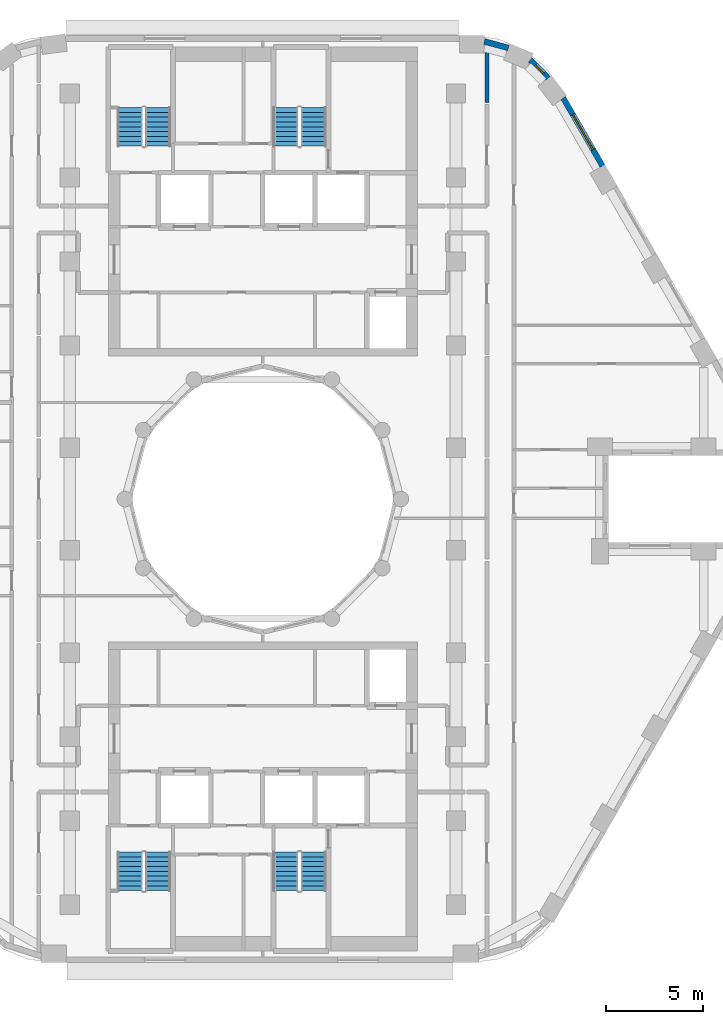
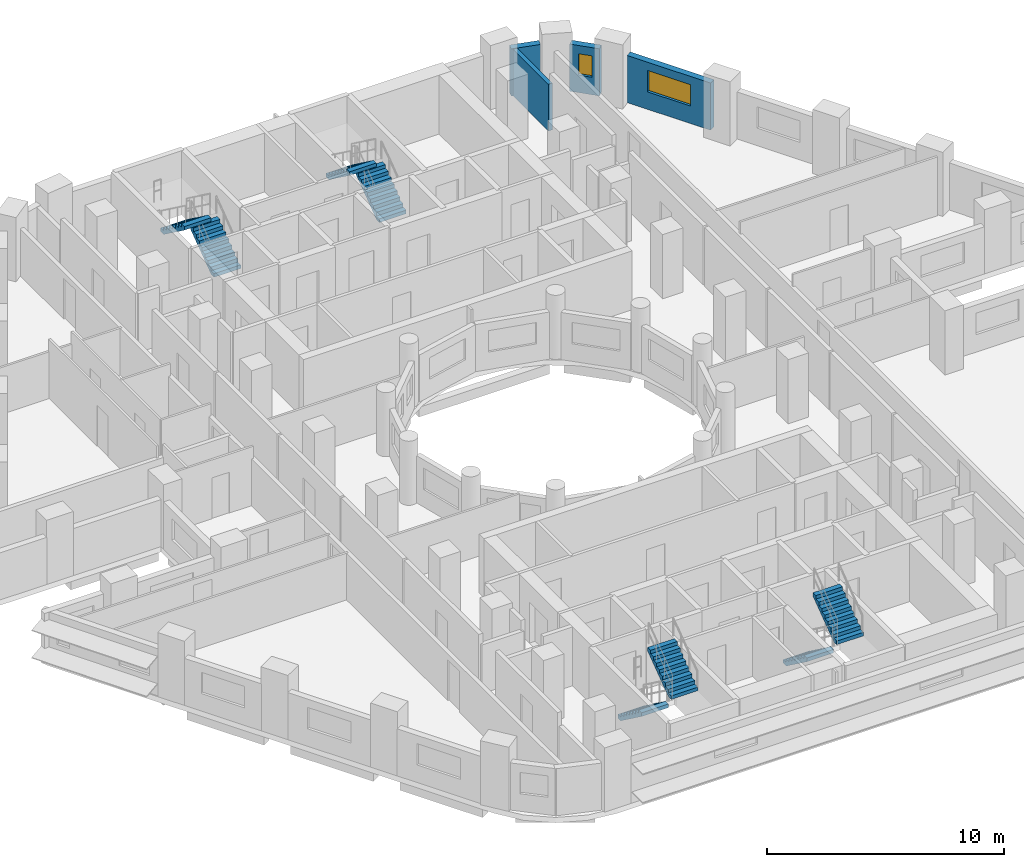
# One storey, part 9 of 13: 8 stair flights, 4 walls, 2 windows, 2 openings, 4 elements without a shape of their own.
"""IFC4 building model written with IfcOpenShell, lengths in metres."""

from ifc_helpers import new_model, si_unit, direction, frame, frame_2d, origin, place, context, subcontext, project, spatial, polyline, rectangle, outline, extrude, material, layer, layer_set, type_object, element, fill, aggregate, save


model = new_model("IFC4")

# Units and contexts
model_context = context("Model", 3, precision=1e-05, world=origin(), true_north=direction((0.0, 1.0)))
body_context = subcontext(model_context, "Body", "Model", "MODEL_VIEW")
ifc_project = project(units=[si_unit("LENGTHUNIT", "METRE"), si_unit("AREAUNIT", "SQUARE_METRE"), si_unit("VOLUMEUNIT", "CUBIC_METRE"), si_unit("PLANEANGLEUNIT", "RADIAN"), si_unit("MASSUNIT", "GRAM", prefix="KILO")], contexts=[model_context])

# Site, building, storey
site_placement = place(None, origin())
site = spatial("IfcSite", under=ifc_project, at=site_placement, CompositionType="ELEMENT")
building_placement = place(site_placement, origin())
building = spatial("IfcBuilding", under=site, at=building_placement, Name="Nakaniwa Court", CompositionType="ELEMENT")
storey_placement = place(building_placement, frame((0.0, 0.0, 150.300048828125)))
storey = spatial("IfcBuildingStorey", under=building, at=storey_placement, Name="L39", CompositionType="ELEMENT", Elevation=150.300048828125)

# Wall
ifc_material_1 = material(Name="Acoustic double stud partition")
ifc_layer_1 = layer(ifc_material_1, 0.199951171875)
ifc_layer_set_1 = layer_set([ifc_layer_1], Name="Acoustic double stud partition")
wall_type_1 = type_object("IfcWallType", Name="Acoustic double stud partition 200", PredefinedType="PARTITIONING", material=ifc_layer_set_1)
wall_1_placement = place(storey_placement, frame((91.60009765625, 100.537109375, 0.0), z_axis=(0.0, 0.0, 1.0), x_axis=(0.0, 1.0, 0.0)))
element("IfcWall", 1, at=wall_1_placement, inside=storey, type_object=wall_type_1, Name="Partition PW-075", PredefinedType="PARTITIONING", context=body_context, shape_type="SweptSolid", body=[
    extrude(rectangle(XDim=3.06201171875, YDim=0.199951171875, at=frame_2d((1.531005859375, 0.0))), origin(), (0.0, 0.0, 1.0), 2.405029296875),
])

# Wall, opening, window
ifc_material_2 = material(Name="Charcoal ceramic cladding")
ifc_layer_2 = layer(ifc_material_2, 0.02, Name="Ceramic cladding")
ifc_material_3 = material(Name="Ventilated air cavity")
ifc_layer_3 = layer(ifc_material_3, 0.04, ventilated=True, Name="Ventilated cavity")
ifc_material_4 = material(Name="Mineral wool insulation")
ifc_layer_4 = layer(ifc_material_4, 0.1, Name="Insulation")
ifc_material_5 = material(Name="Cement bonded sheathing board")
ifc_layer_5 = layer(ifc_material_5, 0.012, Name="Sheathing")
ifc_material_6 = material(Name="Cold-formed galvanised stud frame with mineral wool infill")
ifc_layer_6 = layer(ifc_material_6, 0.1, Name="Stud frame")
ifc_material_7 = material(Name="Fire-rated gypsum plasterboard lining")
ifc_layer_7 = layer(ifc_material_7, 0.028, Name="Lining")
ifc_layer_set_2 = layer_set([ifc_layer_2, ifc_layer_3, ifc_layer_4, ifc_layer_5, ifc_layer_6, ifc_layer_7], Name="Charcoal ceramic faced external wall system")
wall_type_2 = type_object("IfcWallType", Name="Black ceramic faced external wall 300", PredefinedType="SOLIDWALL", material=ifc_layer_set_2)
wall_2_placement = place(storey_placement, frame((97.582275390625, 97.24658203125, 0.0), z_axis=(0.0, 0.0, 1.0), x_axis=(-0.500018589245, 0.866014671013, 0.0)))
wall_2 = element("IfcWall", 2, at=wall_2_placement, inside=storey, type_object=wall_type_2, Name="L39 external wall 05", PredefinedType="SOLIDWALL", context=body_context, shape_type="SweptSolid", body=[
    extrude(rectangle(XDim=4.067626953125, YDim=0.300048828125, at=frame_2d((2.03369140625, 0.0))), origin(), (0.0, 0.0, 1.0), 2.425048828125),
])
opening_1_placement = place(wall_2_placement, frame((0.97265625, 0.0, 0.89990234375)))
opening_1 = element("IfcOpeningElement", 3, at=opening_1_placement, cuts=wall_2, Name="Opening W7.06", PredefinedType="OPENING", context=body_context, shape_type="SweptSolid", body=[
    extrude(rectangle(XDim=2.10009765625, YDim=1.10009765625, at=frame_2d((1.050048828125, 0.550048828125))), frame((0.0, 0.159912109375, 0.0), z_axis=(0.0, -1.0, 0.0), x_axis=(1.0, 0.0, 0.0)), (0.0, 0.0, 1.0), 0.320068359375),
])
ifc_material_8 = material(Name="Black anodised aluminium frame with dark low-E laminated double glazing", Category="aluminium")
window_type_1 = type_object("IfcWindowType", Name="Dark glass window 2100x1100 sill 900", PartitioningType="SINGLE_PANEL", PredefinedType="WINDOW", material=ifc_material_8)
window_1_placement = place(opening_1_placement, origin())
window_1 = element("IfcWindow", 4, at=window_1_placement, inside=storey, type_object=window_type_1, Name="L39 habitable room window 05-0", OverallHeight=1.10009765625, OverallWidth=2.10009765625, PartitioningType="SINGLE_PANEL", PredefinedType="WINDOW", context=body_context, shape_type="SweptSolid", body=[
    extrude(rectangle(XDim=2.10009765625, YDim=1.10009765625, at=frame_2d((1.050048828125, 0.550048828125))), frame((0.0, 0.030029296875, 0.0), z_axis=(0.0, -1.0, 0.0), x_axis=(1.0, 0.0, 0.0)), (0.0, 0.0, 1.0), 0.06005859375),
])
fill(opening_1, window_1)

wall_3_placement = place(storey_placement, frame((94.76318359375, 101.79541015625, 0.0), z_axis=(0.0, 0.0, 1.0), x_axis=(-0.697598997785, 0.716488407645, 0.0)))
wall_3 = element("IfcWall", 5, at=wall_3_placement, inside=storey, type_object=wall_type_2, Name="L39 external wall 06", PredefinedType="SOLIDWALL", context=body_context, shape_type="SweptSolid", body=[
    extrude(rectangle(XDim=1.305419921875, YDim=0.300048828125, at=frame_2d((0.65283203125, 0.0))), origin(), (0.0, 0.0, 1.0), 2.425048828125),
])
opening_2_placement = place(wall_3_placement, frame((0.328125, 0.0, 0.89990234375)))
opening_2 = element("IfcOpeningElement", 6, at=opening_2_placement, cuts=wall_3, Name="Opening W8.07", PredefinedType="OPENING", context=body_context, shape_type="SweptSolid", body=[
    extrude(rectangle(XDim=0.60009765625, YDim=1.10009765625, at=frame_2d((0.300048828125, 0.550048828125))), frame((0.0, 0.159912109375, 0.0), z_axis=(0.0, -1.0, 0.0), x_axis=(1.0, 0.0, 0.0)), (0.0, 0.0, 1.0), 0.320068359375),
])
window_type_2 = type_object("IfcWindowType", Name="Dark glass window 600x1100 sill 900", PartitioningType="SINGLE_PANEL", PredefinedType="WINDOW", material=ifc_material_8)
window_2_placement = place(opening_2_placement, origin())
window_2 = element("IfcWindow", 7, at=window_2_placement, inside=storey, type_object=window_type_2, Name="L39 habitable room window 06-0", OverallHeight=1.10009765625, OverallWidth=0.60009765625, PartitioningType="SINGLE_PANEL", PredefinedType="WINDOW", context=body_context, shape_type="SweptSolid", body=[
    extrude(rectangle(XDim=0.60009765625, YDim=1.10009765625, at=frame_2d((0.300048828125, 0.550048828125))), frame((0.0, 0.030029296875, 0.0), z_axis=(0.0, -1.0, 0.0), x_axis=(1.0, 0.0, 0.0)), (0.0, 0.0, 1.0), 0.06005859375),
])
fill(opening_2, window_2)

# Wall
wall_4_placement = place(storey_placement, frame((92.712890625, 103.3564453125, 0.0), z_axis=(0.0, 0.0, 1.0), x_axis=(-0.965274225809, 0.26123872031, 0.0)))
element("IfcWall", 8, at=wall_4_placement, inside=storey, type_object=wall_type_2, Name="L39 external wall 07", PredefinedType="SOLIDWALL", context=body_context, shape_type="SweptSolid", body=[
    extrude(rectangle(XDim=1.286865234375, YDim=0.300048828125, at=frame_2d((0.6435546875, 0.0))), origin(), (0.0, 0.0, 1.0), 2.425048828125),
])

# Stair, stair flights
ifc_material_9 = material(Name="Concrete C80/100", Category="concrete")
stair_type = type_object("IfcStairType", Name="Dog leg stair 1300 wide 18 risers", PredefinedType="HALF_TURN_STAIR", material=ifc_material_9)
stair_1_placement = place(storey_placement, origin())
stair_1 = element("IfcStair", 9, at=stair_1_placement, inside=storey, type_object=stair_type, Name="L39 Stair ST1", PredefinedType="HALF_TURN_STAIR")
stair_flight_type = type_object("IfcStairFlightType", Name="Stair flight 1300 wide 9 risers", PredefinedType="STRAIGHT", material=ifc_material_9)
stair_flight_1_placement = place(storey_placement, frame((74.574951171875, 98.27490234375, 0.0), z_axis=(0.0, 0.0, 1.0), x_axis=(0.0, 1.0, 0.0)))
stair_flight_1 = element("IfcStairFlight", 10, at=stair_flight_1_placement, type_object=stair_flight_type, Name="ST1 flight 1", NumberOfRisers=9, NumberOfTreads=8, PredefinedType="STRAIGHT", RiserHeight=0.183333333, TreadLength=0.25, context=body_context, shape_type="SweptSolid", body=[
    extrude(outline(polyline([(0.0, 0.0), (0.0, 0.026123046875), (0.0, 0.052490234375), (0.0, 0.07861328125), (0.0, 0.104736328125), (0.0, 0.130859375), (0.0, 0.1572265625), (0.0, 0.183349609375), (0.25, 0.183349609375), (0.25, 0.36669921875), (0.5, 0.36669921875), (0.5, 0.550048828125), (0.75, 0.550048828125), (0.75, 0.7333984375), (1.0, 0.7333984375), (1.0, 0.916748046875), (1.25, 0.916748046875), (1.25, 1.10009765625), (1.5, 1.10009765625), (1.5, 1.283447265625), (1.75, 1.283447265625), (1.75, 1.466552734375), (2.0, 1.466552734375), (2.0, 1.64990234375), (2.0, 1.59716796875), (2.0, 1.54443359375), (2.0, 1.49169921875), (2.0, 1.43896484375), (2.0, 1.38623046875), (2.0, 1.33349609375), (2.0, 1.28076171875), (0.25341796875, 0.0), (0.0, 0.0)])), frame((0.0, 0.64990234375, 0.0), z_axis=(0.0, -1.0, 0.0), x_axis=(1.0, 0.0, 0.0)), (0.0, 0.0, 1.0), 1.300048828125),
])
stair_flight_2_placement = place(storey_placement, frame((73.125, 100.27490234375, 1.64990234375), z_axis=(0.0, 0.0, 1.0), x_axis=(0.0, -1.0, 0.0)))
stair_flight_2 = element("IfcStairFlight", 11, at=stair_flight_2_placement, type_object=stair_flight_type, Name="ST1 flight 2", NumberOfRisers=9, NumberOfTreads=8, PredefinedType="STRAIGHT", RiserHeight=0.183333333, TreadLength=0.25, context=body_context, shape_type="SweptSolid", body=[
    extrude(outline(polyline([(0.0, 0.0), (0.0, 0.026123046875), (0.0, 0.052490234375), (0.0, 0.07861328125), (0.0, 0.104736328125), (0.0, 0.130859375), (0.0, 0.1572265625), (0.0, 0.183349609375), (0.25, 0.183349609375), (0.25, 0.36669921875), (0.5, 0.36669921875), (0.5, 0.550048828125), (0.75, 0.550048828125), (0.75, 0.7333984375), (1.0, 0.7333984375), (1.0, 0.916748046875), (1.25, 0.916748046875), (1.25, 1.10009765625), (1.5, 1.10009765625), (1.5, 1.283447265625), (1.75, 1.283447265625), (1.75, 1.466552734375), (2.0, 1.466552734375), (2.0, 1.64990234375), (2.0, 1.59716796875), (2.0, 1.54443359375), (2.0, 1.49169921875), (2.0, 1.43896484375), (2.0, 1.38623046875), (2.0, 1.33349609375), (2.0, 1.28076171875), (0.25341796875, 0.0), (0.0, 0.0)])), frame((0.0, 0.64990234375, 0.0), z_axis=(0.0, -1.0, 0.0), x_axis=(1.0, 0.0, 0.0)), (0.0, 0.0, 1.0), 1.300048828125),
])
aggregate(stair_1, [stair_flight_1, stair_flight_2])

stair_2_placement = place(storey_placement, origin())
stair_2 = element("IfcStair", 12, at=stair_2_placement, inside=storey, type_object=stair_type, Name="L39 Stair ST2", PredefinedType="HALF_TURN_STAIR")
stair_flight_3_placement = place(storey_placement, frame((82.625, 98.27490234375, 0.0), z_axis=(0.0, 0.0, 1.0), x_axis=(0.0, 1.0, 0.0)))
stair_flight_3 = element("IfcStairFlight", 13, at=stair_flight_3_placement, type_object=stair_flight_type, Name="ST2 flight 1", NumberOfRisers=9, NumberOfTreads=8, PredefinedType="STRAIGHT", RiserHeight=0.183333333, TreadLength=0.25, context=body_context, shape_type="SweptSolid", body=[
    extrude(outline(polyline([(0.0, 0.0), (0.0, 0.026123046875), (0.0, 0.052490234375), (0.0, 0.07861328125), (0.0, 0.104736328125), (0.0, 0.130859375), (0.0, 0.1572265625), (0.0, 0.183349609375), (0.25, 0.183349609375), (0.25, 0.36669921875), (0.5, 0.36669921875), (0.5, 0.550048828125), (0.75, 0.550048828125), (0.75, 0.7333984375), (1.0, 0.7333984375), (1.0, 0.916748046875), (1.25, 0.916748046875), (1.25, 1.10009765625), (1.5, 1.10009765625), (1.5, 1.283447265625), (1.75, 1.283447265625), (1.75, 1.466552734375), (2.0, 1.466552734375), (2.0, 1.64990234375), (2.0, 1.59716796875), (2.0, 1.54443359375), (2.0, 1.49169921875), (2.0, 1.43896484375), (2.0, 1.38623046875), (2.0, 1.33349609375), (2.0, 1.28076171875), (0.25341796875, 0.0), (0.0, 0.0)])), frame((0.0, 0.64990234375, 0.0), z_axis=(0.0, -1.0, 0.0), x_axis=(1.0, 0.0, 0.0)), (0.0, 0.0, 1.0), 1.300048828125),
])
stair_flight_4_placement = place(storey_placement, frame((81.175048828125, 100.27490234375, 1.64990234375), z_axis=(0.0, 0.0, 1.0), x_axis=(0.0, -1.0, 0.0)))
stair_flight_4 = element("IfcStairFlight", 14, at=stair_flight_4_placement, type_object=stair_flight_type, Name="ST2 flight 2", NumberOfRisers=9, NumberOfTreads=8, PredefinedType="STRAIGHT", RiserHeight=0.183333333, TreadLength=0.25, context=body_context, shape_type="SweptSolid", body=[
    extrude(outline(polyline([(0.0, 0.0), (0.0, 0.026123046875), (0.0, 0.052490234375), (0.0, 0.07861328125), (0.0, 0.104736328125), (0.0, 0.130859375), (0.0, 0.1572265625), (0.0, 0.183349609375), (0.25, 0.183349609375), (0.25, 0.36669921875), (0.5, 0.36669921875), (0.5, 0.550048828125), (0.75, 0.550048828125), (0.75, 0.7333984375), (1.0, 0.7333984375), (1.0, 0.916748046875), (1.25, 0.916748046875), (1.25, 1.10009765625), (1.5, 1.10009765625), (1.5, 1.283447265625), (1.75, 1.283447265625), (1.75, 1.466552734375), (2.0, 1.466552734375), (2.0, 1.64990234375), (2.0, 1.59716796875), (2.0, 1.54443359375), (2.0, 1.49169921875), (2.0, 1.43896484375), (2.0, 1.38623046875), (2.0, 1.33349609375), (2.0, 1.28076171875), (0.25341796875, 0.0), (0.0, 0.0)])), frame((0.0, 0.64990234375, 0.0), z_axis=(0.0, -1.0, 0.0), x_axis=(1.0, 0.0, 0.0)), (0.0, 0.0, 1.0), 1.300048828125),
])
aggregate(stair_2, [stair_flight_3, stair_flight_4])

stair_3_placement = place(storey_placement, origin())
stair_3 = element("IfcStair", 15, at=stair_3_placement, inside=storey, type_object=stair_type, Name="L39 Stair ST3", PredefinedType="HALF_TURN_STAIR")
stair_flight_5_placement = place(storey_placement, frame((73.125, 61.72509765625, 0.0), z_axis=(0.0, 0.0, 1.0), x_axis=(0.0, -1.0, 0.0)))
stair_flight_5 = element("IfcStairFlight", 16, at=stair_flight_5_placement, type_object=stair_flight_type, Name="ST3 flight 1", NumberOfRisers=9, NumberOfTreads=8, PredefinedType="STRAIGHT", RiserHeight=0.183333333, TreadLength=0.25, context=body_context, shape_type="SweptSolid", body=[
    extrude(outline(polyline([(0.0, 0.0), (0.0, 0.026123046875), (0.0, 0.052490234375), (0.0, 0.07861328125), (0.0, 0.104736328125), (0.0, 0.130859375), (0.0, 0.1572265625), (0.0, 0.183349609375), (0.25, 0.183349609375), (0.25, 0.36669921875), (0.5, 0.36669921875), (0.5, 0.550048828125), (0.75, 0.550048828125), (0.75, 0.7333984375), (1.0, 0.7333984375), (1.0, 0.916748046875), (1.25, 0.916748046875), (1.25, 1.10009765625), (1.5, 1.10009765625), (1.5, 1.283447265625), (1.75, 1.283447265625), (1.75, 1.466552734375), (2.0, 1.466552734375), (2.0, 1.64990234375), (2.0, 1.59716796875), (2.0, 1.54443359375), (2.0, 1.49169921875), (2.0, 1.43896484375), (2.0, 1.38623046875), (2.0, 1.33349609375), (2.0, 1.28076171875), (0.25341796875, 0.0), (0.0, 0.0)])), frame((0.0, 0.64990234375, 0.0), z_axis=(0.0, -1.0, 0.0), x_axis=(1.0, 0.0, 0.0)), (0.0, 0.0, 1.0), 1.300048828125),
])
stair_flight_6_placement = place(storey_placement, frame((74.574951171875, 59.72509765625, 1.64990234375), z_axis=(0.0, 0.0, 1.0), x_axis=(0.0, 1.0, 0.0)))
stair_flight_6 = element("IfcStairFlight", 17, at=stair_flight_6_placement, type_object=stair_flight_type, Name="ST3 flight 2", NumberOfRisers=9, NumberOfTreads=8, PredefinedType="STRAIGHT", RiserHeight=0.183333333, TreadLength=0.25, context=body_context, shape_type="SweptSolid", body=[
    extrude(outline(polyline([(0.0, 0.0), (0.0, 0.026123046875), (0.0, 0.052490234375), (0.0, 0.07861328125), (0.0, 0.104736328125), (0.0, 0.130859375), (0.0, 0.1572265625), (0.0, 0.183349609375), (0.25, 0.183349609375), (0.25, 0.36669921875), (0.5, 0.36669921875), (0.5, 0.550048828125), (0.75, 0.550048828125), (0.75, 0.7333984375), (1.0, 0.7333984375), (1.0, 0.916748046875), (1.25, 0.916748046875), (1.25, 1.10009765625), (1.5, 1.10009765625), (1.5, 1.283447265625), (1.75, 1.283447265625), (1.75, 1.466552734375), (2.0, 1.466552734375), (2.0, 1.64990234375), (2.0, 1.59716796875), (2.0, 1.54443359375), (2.0, 1.49169921875), (2.0, 1.43896484375), (2.0, 1.38623046875), (2.0, 1.33349609375), (2.0, 1.28076171875), (0.25341796875, 0.0), (0.0, 0.0)])), frame((0.0, 0.64990234375, 0.0), z_axis=(0.0, -1.0, 0.0), x_axis=(1.0, 0.0, 0.0)), (0.0, 0.0, 1.0), 1.300048828125),
])
aggregate(stair_3, [stair_flight_5, stair_flight_6])

stair_4_placement = place(storey_placement, origin())
stair_4 = element("IfcStair", 18, at=stair_4_placement, inside=storey, type_object=stair_type, Name="L39 Stair ST4", PredefinedType="HALF_TURN_STAIR")
stair_flight_7_placement = place(storey_placement, frame((81.175048828125, 61.72509765625, 0.0), z_axis=(0.0, 0.0, 1.0), x_axis=(0.0, -1.0, 0.0)))
stair_flight_7 = element("IfcStairFlight", 19, at=stair_flight_7_placement, type_object=stair_flight_type, Name="ST4 flight 1", NumberOfRisers=9, NumberOfTreads=8, PredefinedType="STRAIGHT", RiserHeight=0.183333333, TreadLength=0.25, context=body_context, shape_type="SweptSolid", body=[
    extrude(outline(polyline([(0.0, 0.0), (0.0, 0.026123046875), (0.0, 0.052490234375), (0.0, 0.07861328125), (0.0, 0.104736328125), (0.0, 0.130859375), (0.0, 0.1572265625), (0.0, 0.183349609375), (0.25, 0.183349609375), (0.25, 0.36669921875), (0.5, 0.36669921875), (0.5, 0.550048828125), (0.75, 0.550048828125), (0.75, 0.7333984375), (1.0, 0.7333984375), (1.0, 0.916748046875), (1.25, 0.916748046875), (1.25, 1.10009765625), (1.5, 1.10009765625), (1.5, 1.283447265625), (1.75, 1.283447265625), (1.75, 1.466552734375), (2.0, 1.466552734375), (2.0, 1.64990234375), (2.0, 1.59716796875), (2.0, 1.54443359375), (2.0, 1.49169921875), (2.0, 1.43896484375), (2.0, 1.38623046875), (2.0, 1.33349609375), (2.0, 1.28076171875), (0.25341796875, 0.0), (0.0, 0.0)])), frame((0.0, 0.64990234375, 0.0), z_axis=(0.0, -1.0, 0.0), x_axis=(1.0, 0.0, 0.0)), (0.0, 0.0, 1.0), 1.300048828125),
])
stair_flight_8_placement = place(storey_placement, frame((82.625, 59.72509765625, 1.64990234375), z_axis=(0.0, 0.0, 1.0), x_axis=(0.0, 1.0, 0.0)))
stair_flight_8 = element("IfcStairFlight", 20, at=stair_flight_8_placement, type_object=stair_flight_type, Name="ST4 flight 2", NumberOfRisers=9, NumberOfTreads=8, PredefinedType="STRAIGHT", RiserHeight=0.183333333, TreadLength=0.25, context=body_context, shape_type="SweptSolid", body=[
    extrude(outline(polyline([(0.0, 0.0), (0.0, 0.026123046875), (0.0, 0.052490234375), (0.0, 0.07861328125), (0.0, 0.104736328125), (0.0, 0.130859375), (0.0, 0.1572265625), (0.0, 0.183349609375), (0.25, 0.183349609375), (0.25, 0.36669921875), (0.5, 0.36669921875), (0.5, 0.550048828125), (0.75, 0.550048828125), (0.75, 0.7333984375), (1.0, 0.7333984375), (1.0, 0.916748046875), (1.25, 0.916748046875), (1.25, 1.10009765625), (1.5, 1.10009765625), (1.5, 1.283447265625), (1.75, 1.283447265625), (1.75, 1.466552734375), (2.0, 1.466552734375), (2.0, 1.64990234375), (2.0, 1.59716796875), (2.0, 1.54443359375), (2.0, 1.49169921875), (2.0, 1.43896484375), (2.0, 1.38623046875), (2.0, 1.33349609375), (2.0, 1.28076171875), (0.25341796875, 0.0), (0.0, 0.0)])), frame((0.0, 0.64990234375, 0.0), z_axis=(0.0, -1.0, 0.0), x_axis=(1.0, 0.0, 0.0)), (0.0, 0.0, 1.0), 1.300048828125),
])
aggregate(stair_4, [stair_flight_7, stair_flight_8])

save(model, "model.ifc")
